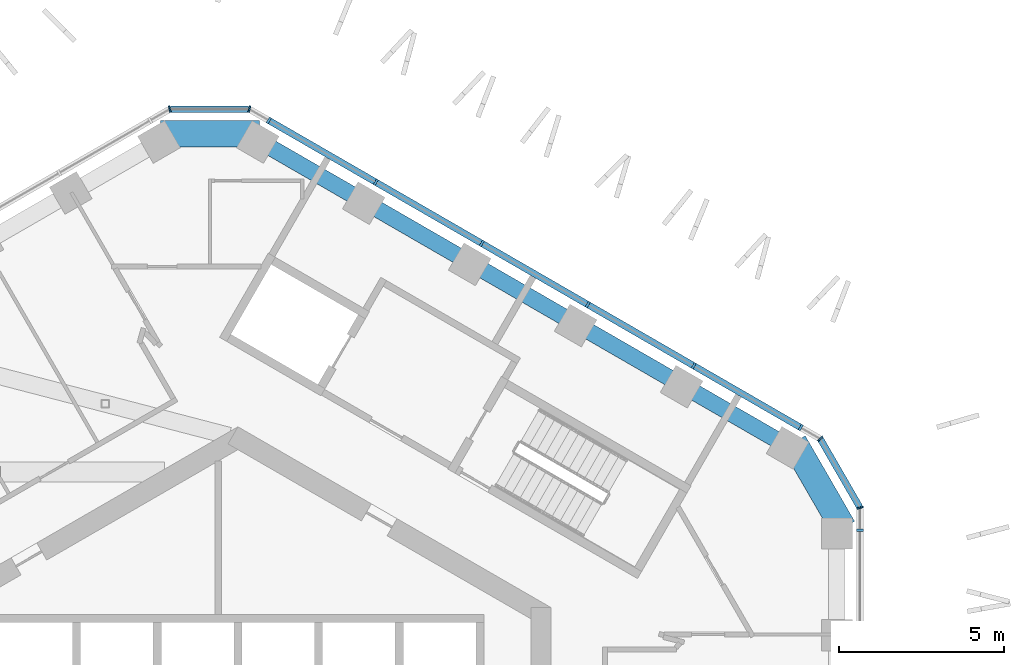
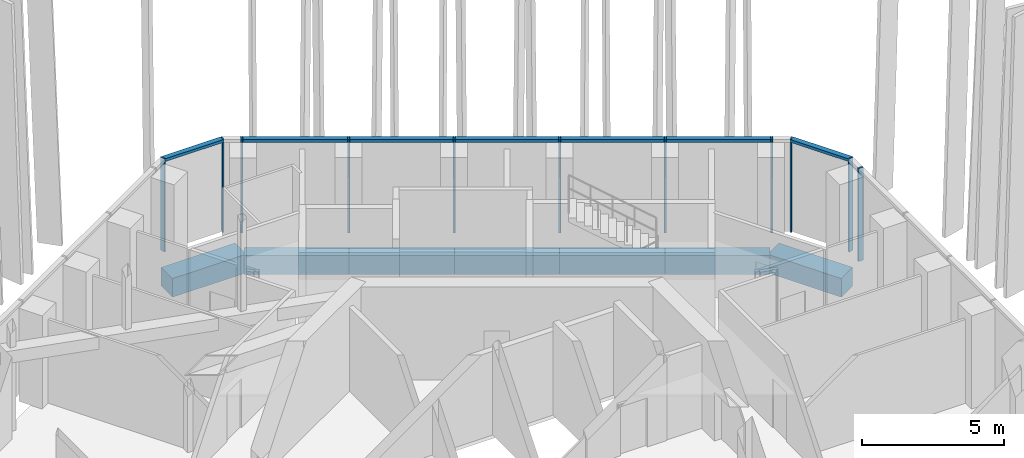
# One storey, part 9 of 28: 14 members, 7 beams, 4 elements without a shape of their own.
"""IFC4 building model written with IfcOpenShell, lengths in metres."""

from ifc_helpers import new_model, si_unit, direction, frame, origin, origin_2d, place, context, subcontext, project, spatial, rectangle, extrude, material, layer, layer_set, material_profile, profile_set, type_object, element, aggregate, save


model = new_model("IFC4")

# Units and contexts
model_context = context("Model", 3, precision=1e-05, world=origin(), true_north=direction((0.0, 1.0)))
body_context = subcontext(model_context, "Body", "Model", "MODEL_VIEW")
ifc_project = project(units=[si_unit("LENGTHUNIT", "METRE"), si_unit("AREAUNIT", "SQUARE_METRE"), si_unit("VOLUMEUNIT", "CUBIC_METRE"), si_unit("PLANEANGLEUNIT", "RADIAN"), si_unit("MASSUNIT", "GRAM", prefix="KILO")], contexts=[model_context])

# Site, building, storey
site_placement = place(None, origin())
site = spatial("IfcSite", under=ifc_project, at=site_placement, CompositionType="ELEMENT")
building_placement = place(site_placement, origin())
building = spatial("IfcBuilding", under=site, at=building_placement, Name="Ayvan Gate Tower", CompositionType="ELEMENT")
storey_placement = place(building_placement, frame((0.0, 0.0, 202.10009765625)))
storey = spatial("IfcBuildingStorey", under=building, at=storey_placement, Name="L54", CompositionType="ELEMENT", Elevation=202.10009765625)

# Beams
ifc_material_1 = material(Name="Concrete C40/50", Category="concrete")
ifc_material_profile_1 = material_profile(ifc_material_1, rectangle(XDim=0.800048828125, YDim=0.800048828125, at=origin_2d()), Name="RC 800x800")
ifc_profile_set_1 = profile_set([ifc_material_profile_1], Name="Concrete C40/50")
beam_type_1 = type_object("IfcBeamType", Name="Corner spandrel beam RC 800x800 C40/50", PredefinedType="BEAM", material=ifc_profile_set_1)
for number, where, z_axis, x_axis, name in (
    (1, (18.376953125, 7.8984375, -0.800048828125), (-0.499990139034, 0.866031096941, 0.0), (-0.866031096941, -0.499990139034, 0.0), "SB-L54-6"),
    (2, (0.651611328125, 19.8642578125, -0.800048828125), (-1.0, 0.0, 0.0), (0.0, -1.0, 0.0), "SB-L54-12"),
):
    element("IfcBeam", number, at=place(storey_placement, frame(where, z_axis=z_axis, x_axis=x_axis)), inside=storey, type_object=beam_type_1, Name=name, PredefinedType="BEAM", context=body_context, shape_type="SweptSolid", body=[
        extrude(rectangle(XDim=0.800048828125, YDim=0.800048828125, at=origin_2d()), origin(), (0.0, 0.0, 1.0), 3.0),
    ])
ifc_material_profile_2 = material_profile(ifc_material_1, rectangle(XDim=0.5, YDim=0.800048828125, at=origin_2d()), Name="RC 500x800")
ifc_profile_set_2 = profile_set([ifc_material_profile_2], Name="Concrete C40/50")
beam_type_2 = type_object("IfcBeamType", Name="Spandrel beam RC 500x800 C40/50", PredefinedType="BEAM", material=ifc_profile_set_2)
beam_1_placement = place(storey_placement, frame((16.6865234375, 10.386474609375, -0.800048828125), z_axis=(-0.866027491634, 0.499996383721, 0.0), x_axis=(-0.499996383721, -0.866027491634, 0.0)))
element("IfcBeam", 3, at=beam_1_placement, inside=storey, type_object=beam_type_2, Name="SB-L54-7", PredefinedType="BEAM", context=body_context, shape_type="SweptSolid", body=[
    extrude(rectangle(XDim=0.5, YDim=0.800048828125, at=origin_2d()), origin(), (0.0, 0.0, 1.0), 3.703125),
])
beam_2_placement = place(storey_placement, frame((13.4794921875, 12.238037109375, -0.800048828125), z_axis=(-0.866011008513, 0.500024932513, 0.0), x_axis=(-0.500024932513, -0.866011008513, 0.0)))
element("IfcBeam", 4, at=beam_2_placement, inside=storey, type_object=beam_type_2, Name="SB-L54-8", PredefinedType="BEAM", context=body_context, shape_type="SweptSolid", body=[
    extrude(rectangle(XDim=0.5, YDim=0.800048828125, at=origin_2d()), origin(), (0.0, 0.0, 1.0), 3.702880859375),
])
for number, where, z_axis, x_axis, name in (
    (5, (10.272705078125, 14.089599609375, -0.800048828125), (-0.866027491634, 0.499996383721, 0.0), (-0.499996383721, -0.866027491634, 0.0), "SB-L54-9"),
    (6, (7.065673828125, 15.941162109375, -0.800048828125), (-0.866027491634, 0.499996383721, 0.0), (-0.499996383721, -0.866027491634, 0.0), "SB-L54-10"),
    (7, (3.858642578125, 17.792724609375, -0.800048828125), (-0.866027491634, 0.499996383721, 0.0), (-0.499996383721, -0.866027491634, 0.0), "SB-L54-11"),
):
    element("IfcBeam", number, at=place(storey_placement, frame(where, z_axis=z_axis, x_axis=x_axis)), inside=storey, type_object=beam_type_2, Name=name, PredefinedType="BEAM", context=body_context, shape_type="SweptSolid", body=[
        extrude(rectangle(XDim=0.5, YDim=0.800048828125, at=origin_2d()), origin(), (0.0, 0.0, 1.0), 3.703125),
    ])

# Curtain wall, member
ifc_material_2 = material(Name="Bronze anodised aluminium", Category="aluminium")
ifc_layer_1 = layer(ifc_material_2, 0.199951171875)
ifc_layer_set_1 = layer_set([ifc_layer_1], Name="Bronze anodised aluminium")
curtain_wall_type_1 = type_object("IfcCurtainWallType", Name="Stick curtain wall CW-2", PredefinedType="NOTDEFINED", material=ifc_layer_set_1)
curtain_wall_1_placement = place(storey_placement, origin())
curtain_wall_1 = element("IfcCurtainWall", 8, at=curtain_wall_1_placement, inside=storey, type_object=curtain_wall_type_1, Name="Stick curtain wall CW-2 L54", PredefinedType="NOTDEFINED")
ifc_material_profile_3 = material_profile(ifc_material_2, rectangle(XDim=0.199951171875, YDim=0.070068359375, at=origin_2d()), Name="Stick curtain wall CW-2 mullion 200 x 70")
ifc_profile_set_3 = profile_set([ifc_material_profile_3], Name="Bronze anodised aluminium")
member_type_1 = type_object("IfcMemberType", Name="Stick curtain wall CW-2 mullion 200 x 70", PredefinedType="MULLION", material=ifc_profile_set_3)
member_1_placement = place(storey_placement, frame((18.886474609375, 7.829345703125, 0.0), z_axis=(0.0, 0.0, 1.0), x_axis=(1.0, 0.0, 0.0)))
member_1 = element("IfcMember", 9, at=member_1_placement, type_object=member_type_1, Name="CW-2 mullion 6", PredefinedType="MULLION", context=body_context, shape_type="SweptSolid", body=[
    extrude(rectangle(XDim=0.199951171875, YDim=0.070068359375, at=origin_2d()), origin(), (0.0, 0.0, 1.0), 4.0),
])
aggregate(curtain_wall_1, [member_1])

# Curtain wall, members
curtain_wall_2_placement = place(storey_placement, origin())
curtain_wall_2 = element("IfcCurtainWall", 10, at=curtain_wall_2_placement, inside=storey, type_object=curtain_wall_type_1, Name="Stick curtain wall CW-2 L54", PredefinedType="NOTDEFINED")
member_2_placement = place(storey_placement, frame((17.0859375, 10.947998046875, 0.0), z_axis=(0.0, 0.0, 1.0), x_axis=(0.5, 0.866025403784, 0.0)))
member_2 = element("IfcMember", 11, at=member_2_placement, type_object=member_type_1, Name="CW-2 mullion 1", PredefinedType="MULLION", context=body_context, shape_type="SweptSolid", body=[
    extrude(rectangle(XDim=0.199951171875, YDim=0.070068359375, at=origin_2d()), origin(), (0.0, 0.0, 1.0), 4.0),
])
member_3_placement = place(storey_placement, frame((13.837646484375, 12.823486328125, 0.0), z_axis=(0.0, 0.0, 1.0), x_axis=(0.5, 0.866025403784, 0.0)))
member_3 = element("IfcMember", 12, at=member_3_placement, type_object=member_type_1, Name="CW-2 mullion 2", PredefinedType="MULLION", context=body_context, shape_type="SweptSolid", body=[
    extrude(rectangle(XDim=0.199951171875, YDim=0.070068359375, at=origin_2d()), origin(), (0.0, 0.0, 1.0), 4.0),
])
member_4_placement = place(storey_placement, frame((10.620361328125, 14.680908203125, 0.0), z_axis=(0.0, 0.0, 1.0), x_axis=(0.5, 0.866025403784, 0.0)))
member_4 = element("IfcMember", 13, at=member_4_placement, type_object=member_type_1, Name="CW-2 mullion 3", PredefinedType="MULLION", context=body_context, shape_type="SweptSolid", body=[
    extrude(rectangle(XDim=0.199951171875, YDim=0.070068359375, at=origin_2d()), origin(), (0.0, 0.0, 1.0), 4.0),
])
member_5_placement = place(storey_placement, frame((7.40380859375, 16.5380859375, 0.0), z_axis=(0.0, 0.0, 1.0), x_axis=(0.5, 0.866025403784, 0.0)))
member_5 = element("IfcMember", 14, at=member_5_placement, type_object=member_type_1, Name="CW-2 mullion 4", PredefinedType="MULLION", context=body_context, shape_type="SweptSolid", body=[
    extrude(rectangle(XDim=0.199951171875, YDim=0.070068359375, at=origin_2d()), origin(), (0.0, 0.0, 1.0), 4.0),
])
member_6_placement = place(storey_placement, frame((4.1865234375, 18.3955078125, 0.0), z_axis=(0.0, 0.0, 1.0), x_axis=(0.5, 0.866025403784, 0.0)))
member_6 = element("IfcMember", 15, at=member_6_placement, type_object=member_type_1, Name="CW-2 mullion 5", PredefinedType="MULLION", context=body_context, shape_type="SweptSolid", body=[
    extrude(rectangle(XDim=0.199951171875, YDim=0.070068359375, at=origin_2d()), origin(), (0.0, 0.0, 1.0), 4.0),
])
member_7_placement = place(storey_placement, frame((0.938232421875, 20.27099609375, 0.0), z_axis=(0.0, 0.0, 1.0), x_axis=(0.5, 0.866025403784, 0.0)))
member_7 = element("IfcMember", 16, at=member_7_placement, type_object=member_type_1, Name="CW-2 mullion 6", PredefinedType="MULLION", context=body_context, shape_type="SweptSolid", body=[
    extrude(rectangle(XDim=0.199951171875, YDim=0.070068359375, at=origin_2d()), origin(), (0.0, 0.0, 1.0), 4.0),
])
ifc_material_profile_4 = material_profile(ifc_material_2, rectangle(XDim=0.199951171875, YDim=0.1201171875, at=origin_2d()), Name="Stick curtain wall CW-2 transom 200 x 120")
ifc_profile_set_4 = profile_set([ifc_material_profile_4], Name="Bronze anodised aluminium")
member_type_2 = type_object("IfcMemberType", Name="Stick curtain wall CW-2 transom 200 x 120", PredefinedType="USERDEFINED", material=ifc_profile_set_4)
member_8_placement = place(storey_placement, frame((17.0859375, 10.947998046875, 3.93994140625), z_axis=(-0.866022705876, 0.500004672885, 0.0), x_axis=(-0.500004672885, -0.866022705876, 0.0)))
member_8 = element("IfcMember", 17, at=member_8_placement, type_object=member_type_2, Name="CW-2 transom 1", ObjectType="TRANSOM", PredefinedType="USERDEFINED", context=body_context, shape_type="SweptSolid", body=[
    extrude(rectangle(XDim=0.199951171875, YDim=0.1201171875, at=origin_2d()), origin(), (0.0, 0.0, 1.0), 18.645751953125),
])
aggregate(curtain_wall_2, [member_2, member_3, member_4, member_5, member_6, member_7, member_8])

ifc_layer_2 = layer(ifc_material_2, 0.199951171875)
ifc_layer_set_2 = layer_set([ifc_layer_2], Name="Bronze anodised aluminium")
curtain_wall_type_2 = type_object("IfcCurtainWallType", Name="Stick curtain wall CW-6", PredefinedType="NOTDEFINED", material=ifc_layer_set_2)
curtain_wall_3_placement = place(storey_placement, origin())
curtain_wall_3 = element("IfcCurtainWall", 18, at=curtain_wall_3_placement, inside=storey, type_object=curtain_wall_type_2, Name="Stick curtain wall CW-6 L54", PredefinedType="NOTDEFINED")
ifc_material_profile_5 = material_profile(ifc_material_2, rectangle(XDim=0.199951171875, YDim=0.050048828125, at=origin_2d()), Name="Stick curtain wall CW-6 mullion 200 x 50")
ifc_profile_set_5 = profile_set([ifc_material_profile_5], Name="Bronze anodised aluminium")
member_type_3 = type_object("IfcMemberType", Name="Stick curtain wall CW-6 mullion 200 x 50", PredefinedType="MULLION", material=ifc_profile_set_5)
member_9_placement = place(storey_placement, frame((18.886474609375, 8.514404296875, 0.0), z_axis=(0.0, 0.0, 1.0), x_axis=(0.965925826289, 0.258819045103, 0.0)))
member_9 = element("IfcMember", 19, at=member_9_placement, type_object=member_type_3, Name="CW-6 mullion 2", PredefinedType="MULLION", context=body_context, shape_type="SweptSolid", body=[
    extrude(rectangle(XDim=0.199951171875, YDim=0.050048828125, at=origin_2d()), origin(), (0.0, 0.0, 1.0), 4.0),
])
member_10_placement = place(storey_placement, frame((17.67919921875, 10.60546875, 0.0), z_axis=(0.0, 0.0, 1.0), x_axis=(0.707106781187, 0.707106781187, 0.0)))
member_10 = element("IfcMember", 20, at=member_10_placement, type_object=member_type_3, Name="CW-6 mullion 3", PredefinedType="MULLION", context=body_context, shape_type="SweptSolid", body=[
    extrude(rectangle(XDim=0.199951171875, YDim=0.050048828125, at=origin_2d()), origin(), (0.0, 0.0, 1.0), 4.0),
])

curtain_wall_4_placement = place(storey_placement, origin())
curtain_wall_4 = element("IfcCurtainWall", 21, at=curtain_wall_4_placement, inside=storey, type_object=curtain_wall_type_2, Name="Stick curtain wall CW-6 L54", PredefinedType="NOTDEFINED")
member_11_placement = place(storey_placement, frame((0.344970703125, 20.613525390625, 0.0), z_axis=(0.0, 0.0, 1.0), x_axis=(0.258819045103, 0.965925826289, 0.0)))
member_11 = element("IfcMember", 22, at=member_11_placement, type_object=member_type_3, Name="CW-6 mullion 2", PredefinedType="MULLION", context=body_context, shape_type="SweptSolid", body=[
    extrude(rectangle(XDim=0.199951171875, YDim=0.050048828125, at=origin_2d()), origin(), (0.0, 0.0, 1.0), 4.0),
])
member_12_placement = place(storey_placement, frame((-2.069580078125, 20.613525390625, 0.0), z_axis=(0.0, 0.0, 1.0), x_axis=(-0.258819045103, 0.965925826289, 0.0)))
member_12 = element("IfcMember", 23, at=member_12_placement, type_object=member_type_3, Name="CW-6 mullion 3", PredefinedType="MULLION", context=body_context, shape_type="SweptSolid", body=[
    extrude(rectangle(XDim=0.199951171875, YDim=0.050048828125, at=origin_2d()), origin(), (0.0, 0.0, 1.0), 4.0),
])

# Member
ifc_material_profile_6 = material_profile(ifc_material_2, rectangle(XDim=0.199951171875, YDim=0.1201171875, at=origin_2d()), Name="Stick curtain wall CW-6 transom 200 x 120")
ifc_profile_set_6 = profile_set([ifc_material_profile_6], Name="Bronze anodised aluminium")
member_type_4 = type_object("IfcMemberType", Name="Stick curtain wall CW-6 transom 200 x 120", PredefinedType="USERDEFINED", material=ifc_profile_set_6)
member_13_placement = place(storey_placement, frame((18.8740234375, 8.5361328125, 3.93994140625), z_axis=(-0.500059108572, 0.865991274745, 0.0), x_axis=(-0.865991274745, -0.500059108572, 0.0)))
member_13 = element("IfcMember", 24, at=member_13_placement, type_object=member_type_4, Name="CW-6 transom 2", ObjectType="TRANSOM", PredefinedType="USERDEFINED", context=body_context, shape_type="SweptSolid", body=[
    extrude(rectangle(XDim=0.199951171875, YDim=0.1201171875, at=origin_2d()), origin(), (0.0, 0.0, 1.0), 2.364501953125),
])

aggregate(curtain_wall_3, [member_9, member_10, member_13])

member_14_placement = place(storey_placement, frame((0.320068359375, 20.613525390625, 3.93994140625), z_axis=(-1.0, 0.0, 0.0), x_axis=(0.0, -1.0, 0.0)))
member_14 = element("IfcMember", 25, at=member_14_placement, type_object=member_type_4, Name="CW-6 transom 2", ObjectType="TRANSOM", PredefinedType="USERDEFINED", context=body_context, shape_type="SweptSolid", body=[
    extrude(rectangle(XDim=0.199951171875, YDim=0.1201171875, at=origin_2d()), origin(), (0.0, 0.0, 1.0), 2.364501953125),
])

aggregate(curtain_wall_4, [member_11, member_12, member_14])

save(model, "model.ifc")
